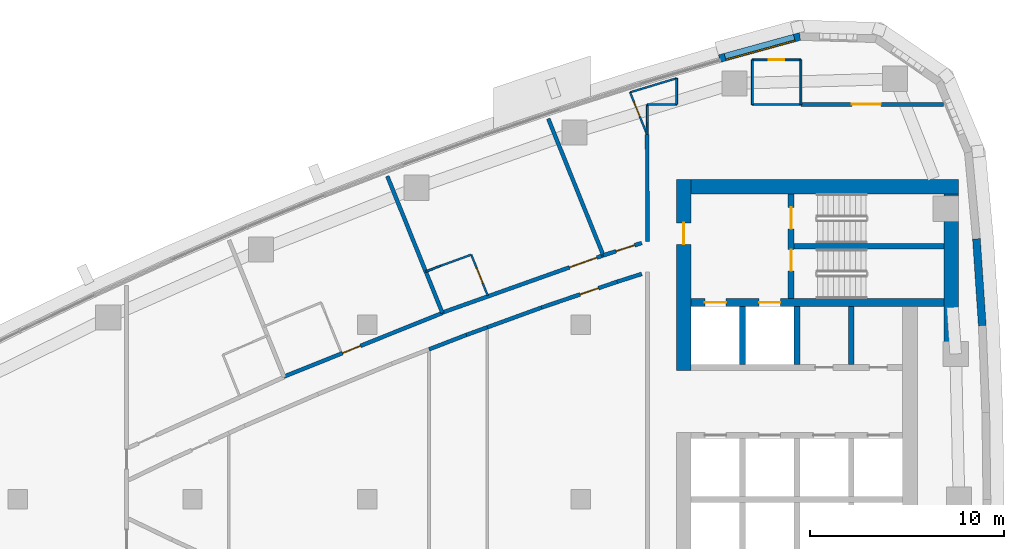
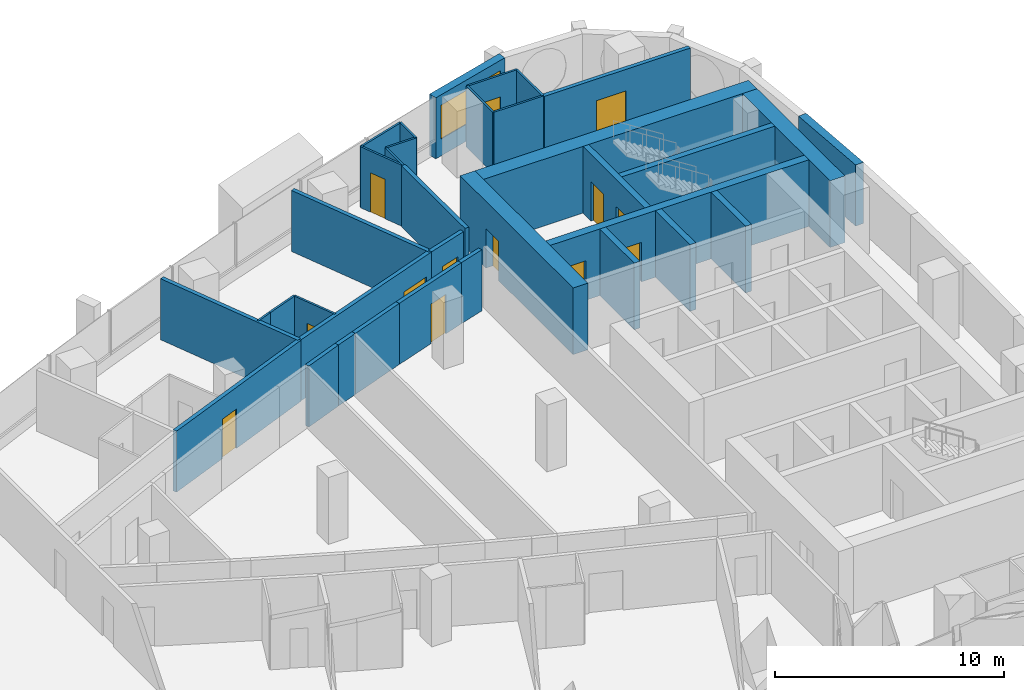
# One storey, part 12 of 17: 35 walls, 13 doors, 1 window, 14 openings.
"""IFC4 building model written with IfcOpenShell, lengths in metres."""

from ifc_helpers import new_model, si_unit, direction, frame, frame_2d, origin, place, context, subcontext, project, spatial, polyline, rectangle, outline, extrude, material, layer, layer_set, type_object, element, fill, save


model = new_model("IFC4")

# Units and contexts
model_context = context("Model", 3, precision=1e-05, world=origin(), true_north=direction((0.0, 1.0)))
body_context = subcontext(model_context, "Body", "Model", "MODEL_VIEW")
ifc_project = project(units=[si_unit("LENGTHUNIT", "METRE"), si_unit("AREAUNIT", "SQUARE_METRE"), si_unit("VOLUMEUNIT", "CUBIC_METRE"), si_unit("PLANEANGLEUNIT", "RADIAN"), si_unit("MASSUNIT", "GRAM", prefix="KILO")], contexts=[model_context])

# Site, building, storey
site_placement = place(None, origin())
site = spatial("IfcSite", under=ifc_project, at=site_placement, CompositionType="ELEMENT")
building_placement = place(site_placement, origin())
building = spatial("IfcBuilding", under=site, at=building_placement, Name="Ostrand Prow Hotel Tower", CompositionType="ELEMENT")
storey_placement = place(building_placement, frame((0.0, 0.0, 193.25)))
storey = spatial("IfcBuildingStorey", under=building, at=storey_placement, Name="L48", CompositionType="ELEMENT", Elevation=193.25)

# Walls
ifc_material_1 = material(Name="Concrete C60/75", Category="concrete")
ifc_layer_1 = layer(ifc_material_1, 0.300048828125)
ifc_layer_set_1 = layer_set([ifc_layer_1], Name="Concrete C60/75")
wall_type_1 = type_object("IfcWallType", Name="Core wall 300 C60/75", PredefinedType="SHEAR", material=ifc_layer_set_1)
for number, where, z_axis, x_axis, name in (
    (1, (53.35009765625, 6.949951171875, 0.0), (0.0, 0.0, 1.0), (0.0, 1.0, 0.0), "Core wall PW-R1-NA"),
    (2, (56.14990234375, 6.949951171875, 0.0), (0.0, 0.0, 1.0), (0.0, 1.0, 0.0), "Core wall PW-R2-NA"),
    (3, (58.949951171875, 6.949951171875, 0.0), (0.0, 0.0, 1.0), (0.0, 1.0, 0.0), "Core wall PW-R3-NA"),
):
    element("IfcWall", number, at=place(storey_placement, frame(where, z_axis=z_axis, x_axis=x_axis)), inside=storey, type_object=wall_type_1, Name=name, PredefinedType="SHEAR", context=body_context, shape_type="SweptSolid", body=[
        extrude(rectangle(XDim=3.0, YDim=0.300048828125, at=frame_2d((1.5, 0.0))), origin(), (0.0, 0.0, 1.0), 3.550048828125),
    ])

# Wall, openings, doors
wall_1_placement = place(storey_placement, frame((55.85009765625, 10.35009765625, 0.0), z_axis=(0.0, 0.0, 1.0), x_axis=(0.0, 1.0, 0.0)))
wall_1 = element("IfcWall", 4, at=wall_1_placement, inside=storey, type_object=wall_type_1, Name="Core wall PW-VN", PredefinedType="SHEAR", context=body_context, shape_type="SweptSolid", body=[
    extrude(rectangle(XDim=5.39990234375, YDim=0.300048828125, at=frame_2d((2.699951171875, 0.0))), origin(), (0.0, 0.0, 1.0), 3.550048828125),
])
opening_1_placement = place(wall_1_placement, frame((1.429931640625, 0.0, 0.0)))
opening_1 = element("IfcOpeningElement", 5, at=opening_1_placement, cuts=wall_1, Name="Opening FD1", PredefinedType="OPENING", context=body_context, shape_type="SweptSolid", body=[
    extrude(rectangle(XDim=1.10009765625, YDim=2.10009765625, at=frame_2d((0.550048828125, 1.050048828125))), frame((0.0, 0.159912109375, 0.0), z_axis=(0.0, -1.0, 0.0), x_axis=(1.0, 0.0, 0.0)), (0.0, 0.0, 1.0), 0.320068359375),
])
opening_2_placement = place(wall_1_placement, frame((3.60009765625, 0.0, 0.0)))
opening_2 = element("IfcOpeningElement", 6, at=opening_2_placement, cuts=wall_1, Name="Opening FD1", PredefinedType="OPENING", context=body_context, shape_type="SweptSolid", body=[
    extrude(rectangle(XDim=1.10009765625, YDim=2.10009765625, at=frame_2d((0.550048828125, 1.050048828125))), frame((0.0, 0.159912109375, 0.0), z_axis=(0.0, -1.0, 0.0), x_axis=(1.0, 0.0, 0.0)), (0.0, 0.0, 1.0), 0.320068359375),
])
ifc_material_2 = material(Name="Steel fire door", Category="steel")
door_type_1 = type_object("IfcDoorType", Name="Fire door 1100 EI120", OperationType="SINGLE_SWING_RIGHT", PredefinedType="DOOR", material=ifc_material_2)
door_1_placement = place(opening_1_placement, origin())
door_1 = element("IfcDoor", 7, at=door_1_placement, inside=storey, type_object=door_type_1, Name="FIRE DOOR", OperationType="SINGLE_SWING_RIGHT", OverallHeight=2.10009765625, OverallWidth=1.10009765625, PredefinedType="DOOR", context=body_context, shape_type="SweptSolid", body=[
    extrude(rectangle(XDim=1.10009765625, YDim=2.10009765625, at=frame_2d((0.550048828125, 1.050048828125))), frame((0.0, 0.02490234375, 0.0), z_axis=(0.0, -1.0, 0.0), x_axis=(1.0, 0.0, 0.0)), (0.0, 0.0, 1.0), 0.050048828125),
])
fill(opening_1, door_1)
door_2_placement = place(opening_2_placement, origin())
door_2 = element("IfcDoor", 8, at=door_2_placement, inside=storey, type_object=door_type_1, Name="FIRE DOOR", OperationType="SINGLE_SWING_RIGHT", OverallHeight=2.10009765625, OverallWidth=1.10009765625, PredefinedType="DOOR", context=body_context, shape_type="SweptSolid", body=[
    extrude(rectangle(XDim=1.10009765625, YDim=2.10009765625, at=frame_2d((0.550048828125, 1.050048828125))), frame((0.0, 0.02490234375, 0.0), z_axis=(0.0, -1.0, 0.0), x_axis=(1.0, 0.0, 0.0)), (0.0, 0.0, 1.0), 0.050048828125),
])
fill(opening_2, door_2)

# Wall
wall_2_placement = place(storey_placement, frame((56.0, 13.050048828125, 0.0), z_axis=(0.0, 0.0, 1.0), x_axis=(1.0, 0.0, 0.0)))
element("IfcWall", 9, at=wall_2_placement, inside=storey, type_object=wall_type_1, Name="Core wall PW-ST13", PredefinedType="SHEAR", context=body_context, shape_type="SweptSolid", body=[
    extrude(rectangle(XDim=7.719970703125, YDim=0.300048828125, at=frame_2d((3.85986328125, 0.0))), origin(), (0.0, 0.0, 1.0), 3.550048828125),
])

# Wall, openings, doors
ifc_material_3 = material(Name="Concrete C60/75", Category="concrete")
ifc_layer_2 = layer(ifc_material_3, 0.39990234375)
ifc_layer_set_2 = layer_set([ifc_layer_2], Name="Concrete C60/75")
wall_type_2 = type_object("IfcWallType", Name="Core wall 400 C60/75", PredefinedType="SHEAR", material=ifc_layer_set_2)
wall_3_placement = place(storey_placement, frame((50.699951171875, 10.14990234375, 0.0), z_axis=(0.0, 0.0, 1.0), x_axis=(1.0, 0.0, 0.0)))
wall_3 = element("IfcWall", 10, at=wall_3_placement, inside=storey, type_object=wall_type_2, Name="Core wall PW-BN", PredefinedType="SHEAR", context=body_context, shape_type="SweptSolid", body=[
    extrude(rectangle(XDim=13.02001953125, YDim=0.39990234375, at=frame_2d((6.510009765625, 0.0))), origin(), (0.0, 0.0, 1.0), 3.550048828125),
])
opening_3_placement = place(wall_3_placement, frame((0.699951171875, 0.0, 0.0)))
opening_3 = element("IfcOpeningElement", 11, at=opening_3_placement, cuts=wall_3, Name="Opening LD", PredefinedType="OPENING", context=body_context, shape_type="SweptSolid", body=[
    extrude(rectangle(XDim=1.10009765625, YDim=2.10009765625, at=frame_2d((0.550048828125, 1.050048828125))), frame((0.0, 0.2099609375, 0.0), z_axis=(0.0, -1.0, 0.0), x_axis=(1.0, 0.0, 0.0)), (0.0, 0.0, 1.0), 0.419921875),
])
opening_4_placement = place(wall_3_placement, frame((3.5, 0.0, 0.0)))
opening_4 = element("IfcOpeningElement", 12, at=opening_4_placement, cuts=wall_3, Name="Opening LD", PredefinedType="OPENING", context=body_context, shape_type="SweptSolid", body=[
    extrude(rectangle(XDim=1.10009765625, YDim=2.10009765625, at=frame_2d((0.550048828125, 1.050048828125))), frame((0.0, 0.2099609375, 0.0), z_axis=(0.0, -1.0, 0.0), x_axis=(1.0, 0.0, 0.0)), (0.0, 0.0, 1.0), 0.419921875),
])
ifc_material_4 = material(Name="Stainless steel door", Category="steel")
door_type_2 = type_object("IfcDoorType", Name="Lift landing door 1100", OperationType="DOUBLE_DOOR_SLIDING", PredefinedType="DOOR", material=ifc_material_4)
door_3_placement = place(opening_3_placement, origin())
door_3 = element("IfcDoor", 13, at=door_3_placement, inside=storey, type_object=door_type_2, Name="LIFT LANDING DOOR", OperationType="DOUBLE_DOOR_SLIDING", OverallHeight=2.10009765625, OverallWidth=1.10009765625, PredefinedType="DOOR", context=body_context, shape_type="SweptSolid", body=[
    extrude(rectangle(XDim=1.10009765625, YDim=2.10009765625, at=frame_2d((0.550048828125, 1.050048828125))), frame((0.0, 0.02490234375, 0.0), z_axis=(0.0, -1.0, 0.0), x_axis=(1.0, 0.0, 0.0)), (0.0, 0.0, 1.0), 0.050048828125),
])
fill(opening_3, door_3)
door_4_placement = place(opening_4_placement, origin())
door_4 = element("IfcDoor", 14, at=door_4_placement, inside=storey, type_object=door_type_2, Name="LIFT LANDING DOOR", OperationType="DOUBLE_DOOR_SLIDING", OverallHeight=2.10009765625, OverallWidth=1.10009765625, PredefinedType="DOOR", context=body_context, shape_type="SweptSolid", body=[
    extrude(rectangle(XDim=1.10009765625, YDim=2.10009765625, at=frame_2d((0.550048828125, 1.050048828125))), frame((0.0, 0.02490234375, 0.0), z_axis=(0.0, -1.0, 0.0), x_axis=(1.0, 0.0, 0.0)), (0.0, 0.0, 1.0), 0.050048828125),
])
fill(opening_4, door_4)

# Wall, opening, door
ifc_material_5 = material(Name="Concrete C60/75", Category="concrete")
ifc_layer_3 = layer(ifc_material_5, 0.75)
ifc_layer_set_3 = layer_set([ifc_layer_3], Name="Concrete C60/75")
wall_type_3 = type_object("IfcWallType", Name="Core wall 750 C60/75", PredefinedType="SHEAR", material=ifc_layer_set_3)
wall_4_placement = place(storey_placement, frame((50.324951171875, 6.64990234375, 0.0), z_axis=(0.0, 0.0, 1.0), x_axis=(0.0, 1.0, 0.0)))
wall_4 = element("IfcWall", 15, at=wall_4_placement, inside=storey, type_object=wall_type_3, Name="Core wall CW-W-N", PredefinedType="SHEAR", context=body_context, shape_type="SweptSolid", body=[
    extrude(rectangle(XDim=9.85009765625, YDim=0.75, at=frame_2d((4.925048828125, 0.0))), origin(), (0.0, 0.0, 1.0), 3.550048828125),
])
opening_5_placement = place(wall_4_placement, frame((6.5, 0.0, 0.0)))
opening_5 = element("IfcOpeningElement", 16, at=opening_5_placement, cuts=wall_4, Name="Opening FD1", PredefinedType="OPENING", context=body_context, shape_type="SweptSolid", body=[
    extrude(rectangle(XDim=1.10009765625, YDim=2.10009765625, at=frame_2d((0.550048828125, 1.050048828125))), frame((0.0, 0.385009765625, 0.0), z_axis=(0.0, -1.0, 0.0), x_axis=(1.0, 0.0, 0.0)), (0.0, 0.0, 1.0), 0.77001953125),
])
door_5_placement = place(opening_5_placement, origin())
door_5 = element("IfcDoor", 17, at=door_5_placement, inside=storey, type_object=door_type_1, Name="FIRE DOOR", OperationType="SINGLE_SWING_RIGHT", OverallHeight=2.10009765625, OverallWidth=1.10009765625, PredefinedType="DOOR", context=body_context, shape_type="SweptSolid", body=[
    extrude(rectangle(XDim=1.10009765625, YDim=2.10009765625, at=frame_2d((0.550048828125, 1.050048828125))), frame((0.0, 0.02490234375, 0.0), z_axis=(0.0, -1.0, 0.0), x_axis=(1.0, 0.0, 0.0)), (0.0, 0.0, 1.0), 0.050048828125),
])
fill(opening_5, door_5)

# Walls
wall_5_placement = place(storey_placement, frame((50.699951171875, 16.125, 0.0), z_axis=(0.0, 0.0, 1.0), x_axis=(1.0, 0.0, 0.0)))
element("IfcWall", 18, at=wall_5_placement, inside=storey, type_object=wall_type_3, Name="Core wall CW-N", PredefinedType="SHEAR", context=body_context, shape_type="SweptSolid", body=[
    extrude(rectangle(XDim=13.77001953125, YDim=0.75, at=frame_2d((6.885009765625, 0.0))), origin(), (0.0, 0.0, 1.0), 3.550048828125),
])
wall_6_placement = place(storey_placement, frame((64.094970703125, 8.09912109375, 0.0), z_axis=(0.0, 0.0, 1.0), x_axis=(0.0, 1.0, 0.0)))
element("IfcWall", 19, at=wall_6_placement, inside=storey, type_object=wall_type_3, Name="Core wall CW-E-N", PredefinedType="SHEAR", context=body_context, shape_type="SweptSolid", body=[
    extrude(rectangle(XDim=7.65087890625, YDim=0.75, at=frame_2d((3.825439453125, 0.0))), origin(), (0.0, 0.0, 1.0), 3.550048828125),
])

# Wall, opening, door
ifc_material_6 = material(Name="Plasterboard partition")
ifc_layer_4 = layer(ifc_material_6, 0.10009765625)
ifc_layer_set_4 = layer_set([ifc_layer_4], Name="Plasterboard partition")
wall_type_4 = type_object("IfcWallType", Name="Partition 100 bathroom wall", PredefinedType="PARTITIONING", material=ifc_layer_set_4)
wall_7_placement = place(storey_placement, frame((53.85009765625, 22.64990234375, 0.0), z_axis=(0.0, 0.0, 1.0), x_axis=(1.0, 0.0, 0.0)))
wall_7 = element("IfcWall", 20, at=wall_7_placement, inside=storey, type_object=wall_type_4, Name="BATHROOM WALL", PredefinedType="PARTITIONING", context=body_context, shape_type="SweptSolid", body=[
    extrude(rectangle(XDim=2.5, YDim=0.10009765625, at=frame_2d((1.25, 0.0))), origin(), (0.0, 0.0, 1.0), 3.25),
])
opening_6_placement = place(wall_7_placement, frame((0.85009765625, 0.0, 0.0)))
opening_6 = element("IfcOpeningElement", 21, at=opening_6_placement, cuts=wall_7, Name="Opening D2", PredefinedType="OPENING", context=body_context, shape_type="SweptSolid", body=[
    extrude(rectangle(XDim=0.800048828125, YDim=2.10009765625, at=frame_2d((0.39990234375, 1.050048828125))), frame((0.0, 0.06005859375, 0.0), z_axis=(0.0, -1.0, 0.0), x_axis=(1.0, 0.0, 0.0)), (0.0, 0.0, 1.0), 0.1201171875),
])
ifc_material_7 = material(Name="Timber door leaf", Category="wood")
door_type_3 = type_object("IfcDoorType", Name="Bathroom door 800", OperationType="SINGLE_SWING_LEFT", PredefinedType="DOOR", material=ifc_material_7)
door_6_placement = place(opening_6_placement, origin())
door_6 = element("IfcDoor", 22, at=door_6_placement, inside=storey, type_object=door_type_3, Name="DOOR", OperationType="SINGLE_SWING_LEFT", OverallHeight=2.10009765625, OverallWidth=0.800048828125, PredefinedType="DOOR", context=body_context, shape_type="SweptSolid", body=[
    extrude(rectangle(XDim=0.800048828125, YDim=2.10009765625, at=frame_2d((0.39990234375, 1.050048828125))), frame((0.0, 0.02490234375, 0.0), z_axis=(0.0, -1.0, 0.0), x_axis=(1.0, 0.0, 0.0)), (0.0, 0.0, 1.0), 0.050048828125),
])
fill(opening_6, door_6)

# Walls
for number, where, z_axis, x_axis, name in (
    (23, (56.35009765625, 22.64990234375, 0.0), (0.0, 0.0, 1.0), (0.0, -1.0, 0.0), "BATHROOM WALL"),
    (24, (53.85009765625, 20.35009765625, 0.0), (0.0, 0.0, 1.0), (0.0, 1.0, 0.0), "BATHROOM WALL"),
):
    element("IfcWall", number, at=place(storey_placement, frame(where, z_axis=z_axis, x_axis=x_axis)), inside=storey, type_object=wall_type_4, Name=name, PredefinedType="PARTITIONING", context=body_context, shape_type="SweptSolid", body=[
        extrude(rectangle(XDim=2.2998046875, YDim=0.10009765625, at=frame_2d((1.14990234375, 0.0))), origin(), (0.0, 0.0, 1.0), 3.25),
    ])
wall_8_placement = place(storey_placement, frame((37.019775390625, 11.7431640625, 0.0), z_axis=(0.0, 0.0, 1.0), x_axis=(0.9326493613, 0.360784102846, 0.0)))
element("IfcWall", 25, at=wall_8_placement, inside=storey, type_object=wall_type_4, Name="BATHROOM WALL", PredefinedType="PARTITIONING", context=body_context, shape_type="SweptSolid", body=[
    extrude(rectangle(XDim=0.8154296875, YDim=0.10009765625, at=frame_2d((0.40771484375, 0.0))), origin(), (0.0, 0.0, 1.0), 3.25),
])
wall_9_placement = place(storey_placement, frame((37.7802734375, 12.037353515625, 0.0), z_axis=(0.0, 0.0, 1.0), x_axis=(0.939759586286, 0.341836101053, 0.0)))
element("IfcWall", 26, at=wall_9_placement, inside=storey, type_object=wall_type_4, Name="BATHROOM WALL", PredefinedType="PARTITIONING", context=body_context, shape_type="SweptSolid", body=[
    extrude(rectangle(XDim=1.685546875, YDim=0.10009765625, at=frame_2d((0.8427734375, 0.0))), origin(), (0.0, 0.0, 1.0), 3.25),
])

# Wall, opening, door
wall_10_placement = place(storey_placement, frame((39.3642578125, 12.613525390625, 0.0), z_axis=(0.0, 0.0, 1.0), x_axis=(0.373883593317, -0.927475637765, 0.0)))
wall_10 = element("IfcWall", 27, at=wall_10_placement, inside=storey, type_object=wall_type_4, Name="BATHROOM WALL", PredefinedType="PARTITIONING", context=body_context, shape_type="SweptSolid", body=[
    extrude(rectangle(XDim=2.2783203125, YDim=0.10009765625, at=frame_2d((1.13916015625, 0.0))), origin(), (0.0, 0.0, 1.0), 3.25),
])
opening_7_placement = place(wall_10_placement, frame((0.75, 0.0, 0.0)))
opening_7 = element("IfcOpeningElement", 28, at=opening_7_placement, cuts=wall_10, Name="Opening D2", PredefinedType="OPENING", context=body_context, shape_type="SweptSolid", body=[
    extrude(rectangle(XDim=0.800048828125, YDim=2.10009765625, at=frame_2d((0.39990234375, 1.050048828125))), frame((0.0, 0.06005859375, 0.0), z_axis=(0.0, -1.0, 0.0), x_axis=(1.0, 0.0, 0.0)), (0.0, 0.0, 1.0), 0.1201171875),
])
door_7_placement = place(opening_7_placement, origin())
door_7 = element("IfcDoor", 29, at=door_7_placement, inside=storey, type_object=door_type_3, Name="DOOR", OperationType="SINGLE_SWING_LEFT", OverallHeight=2.10009765625, OverallWidth=0.800048828125, PredefinedType="DOOR", context=body_context, shape_type="SweptSolid", body=[
    extrude(rectangle(XDim=0.800048828125, YDim=2.10009765625, at=frame_2d((0.39990234375, 1.050048828125))), frame((0.0, 0.02490234375, 0.0), z_axis=(0.0, -1.0, 0.0), x_axis=(1.0, 0.0, 0.0)), (0.0, 0.0, 1.0), 0.050048828125),
])
fill(opening_7, door_7)

wall_11_placement = place(storey_placement, frame((48.409423828125, 18.84130859375, 0.0), z_axis=(0.0, 0.0, 1.0), x_axis=(-0.373908119057, 0.927465750582, 0.0)))
wall_11 = element("IfcWall", 30, at=wall_11_placement, inside=storey, type_object=wall_type_4, Name="BATHROOM WALL", PredefinedType="PARTITIONING", context=body_context, shape_type="SweptSolid", body=[
    extrude(rectangle(XDim=2.30615234375, YDim=0.10009765625, at=frame_2d((1.153076171875, 0.0))), origin(), (0.0, 0.0, 1.0), 3.25),
])
opening_8_placement = place(wall_11_placement, frame((0.949951171875, 0.0, 0.0)))
opening_8 = element("IfcOpeningElement", 31, at=opening_8_placement, cuts=wall_11, Name="Opening D2", PredefinedType="OPENING", context=body_context, shape_type="SweptSolid", body=[
    extrude(rectangle(XDim=0.800048828125, YDim=2.10009765625, at=frame_2d((0.39990234375, 1.050048828125))), frame((0.0, 0.06005859375, 0.0), z_axis=(0.0, -1.0, 0.0), x_axis=(1.0, 0.0, 0.0)), (0.0, 0.0, 1.0), 0.1201171875),
])
door_8_placement = place(opening_8_placement, origin())
door_8 = element("IfcDoor", 32, at=door_8_placement, inside=storey, type_object=door_type_3, Name="DOOR", OperationType="SINGLE_SWING_LEFT", OverallHeight=2.10009765625, OverallWidth=0.800048828125, PredefinedType="DOOR", context=body_context, shape_type="SweptSolid", body=[
    extrude(rectangle(XDim=0.800048828125, YDim=2.10009765625, at=frame_2d((0.39990234375, 1.050048828125))), frame((0.0, 0.02490234375, 0.0), z_axis=(0.0, -1.0, 0.0), x_axis=(1.0, 0.0, 0.0)), (0.0, 0.0, 1.0), 0.050048828125),
])
fill(opening_8, door_8)

# Walls
wall_12_placement = place(storey_placement, frame((56.35009765625, 20.35498046875, 0.0), z_axis=(0.0, 0.0, 1.0), x_axis=(-1.0, 0.0, 0.0)))
element("IfcWall", 33, at=wall_12_placement, inside=storey, type_object=wall_type_4, Name="BATHROOM WALL", PredefinedType="PARTITIONING", context=body_context, shape_type="SweptSolid", body=[
    extrude(rectangle(XDim=2.5, YDim=0.10009765625, at=frame_2d((1.25, 0.0))), origin(), (0.0, 0.0, 1.0), 3.25),
])
wall_13_placement = place(storey_placement, frame((49.949951171875, 21.706298828125, 0.0), z_axis=(0.0, 0.0, 1.0), x_axis=(0.0, -1.0, 0.0)))
element("IfcWall", 34, at=wall_13_placement, inside=storey, type_object=wall_type_4, Name="BATHROOM WALL", PredefinedType="PARTITIONING", context=body_context, shape_type="SweptSolid", body=[
    extrude(rectangle(XDim=1.351318359375, YDim=0.10009765625, at=frame_2d((0.67578125, 0.0))), origin(), (0.0, 0.0, 1.0), 3.25),
])
wall_14_placement = place(storey_placement, frame((49.949951171875, 20.35498046875, 0.0), z_axis=(0.0, 0.0, 1.0), x_axis=(-0.999998406651, -0.001785131852, 0.0)))
element("IfcWall", 35, at=wall_14_placement, inside=storey, type_object=wall_type_4, Name="BATHROOM WALL", PredefinedType="PARTITIONING", context=body_context, shape_type="SweptSolid", body=[
    extrude(rectangle(XDim=1.50439453125, YDim=0.10009765625, at=frame_2d((0.752197265625, 0.0))), origin(), (0.0, 0.0, 1.0), 3.25),
])
wall_15_placement = place(storey_placement, frame((48.445556640625, 20.352294921875, 0.0), z_axis=(0.0, 0.0, 1.0), x_axis=(-0.010805026288, -0.999941624, 0.0)))
element("IfcWall", 36, at=wall_15_placement, inside=storey, type_object=wall_type_4, Name="BATHROOM WALL", PredefinedType="PARTITIONING", context=body_context, shape_type="SweptSolid", body=[
    extrude(rectangle(XDim=1.536376953125, YDim=0.10009765625, at=frame_2d((0.76806640625, 0.0))), origin(), (0.0, 0.0, 1.0), 3.25),
])
wall_16_placement = place(storey_placement, frame((47.547119140625, 20.980224609375, 0.0), z_axis=(0.0, 0.0, 1.0), x_axis=(0.957251518155, 0.289256859885, 0.0)))
element("IfcWall", 37, at=wall_16_placement, inside=storey, type_object=wall_type_4, Name="BATHROOM WALL", PredefinedType="PARTITIONING", context=body_context, shape_type="SweptSolid", body=[
    extrude(rectangle(XDim=2.51025390625, YDim=0.10009765625, at=frame_2d((1.255126953125, 0.0))), origin(), (0.0, 0.0, 1.0), 3.25),
])

# Wall, opening, door
ifc_material_8 = material(Name="Plasterboard partition")
ifc_layer_5 = layer(ifc_material_8, 0.199951171875)
ifc_layer_set_5 = layer_set([ifc_layer_5], Name="Plasterboard partition")
wall_type_5 = type_object("IfcWallType", Name="Partition 200 corridor wall", PredefinedType="PARTITIONING", material=ifc_layer_set_5)
wall_17_placement = place(storey_placement, frame((29.714111328125, 6.32861328125, 0.0), z_axis=(0.0, 0.0, 1.0), x_axis=(0.927886226391, 0.372863448026, 0.0)))
wall_17 = element("IfcWall", 38, at=wall_17_placement, inside=storey, type_object=wall_type_5, Name="CORRIDOR WALL", PredefinedType="PARTITIONING", context=body_context, shape_type="SweptSolid", body=[
    extrude(rectangle(XDim=8.800048828125, YDim=0.199951171875, at=frame_2d((4.39990234375, 0.0))), origin(), (0.0, 0.0, 1.0), 3.25),
])
opening_9_placement = place(wall_17_placement, frame((3.25, 0.0, 0.0)))
opening_9 = element("IfcOpeningElement", 39, at=opening_9_placement, cuts=wall_17, Name="Opening D1R", PredefinedType="OPENING", context=body_context, shape_type="SweptSolid", body=[
    extrude(rectangle(XDim=1.0, YDim=2.10009765625, at=frame_2d((0.5, 1.050048828125))), frame((0.0, 0.10986328125, 0.0), z_axis=(0.0, -1.0, 0.0), x_axis=(1.0, 0.0, 0.0)), (0.0, 0.0, 1.0), 0.219970703125),
])
ifc_material_9 = material(Name="Timber door leaf", Category="wood")
door_type_4 = type_object("IfcDoorType", Name="Guest room door 1000 right", OperationType="SINGLE_SWING_RIGHT", PredefinedType="DOOR", material=ifc_material_9)
door_9_placement = place(opening_9_placement, origin())
door_9 = element("IfcDoor", 40, at=door_9_placement, inside=storey, type_object=door_type_4, Name="DOOR", OperationType="SINGLE_SWING_RIGHT", OverallHeight=2.10009765625, OverallWidth=1.0, PredefinedType="DOOR", context=body_context, shape_type="SweptSolid", body=[
    extrude(rectangle(XDim=1.0, YDim=2.10009765625, at=frame_2d((0.5, 1.050048828125))), frame((0.0, 0.02490234375, 0.0), z_axis=(0.0, -1.0, 0.0), x_axis=(1.0, 0.0, 0.0)), (0.0, 0.0, 1.0), 0.050048828125),
])
fill(opening_9, door_9)

wall_18_placement = place(storey_placement, frame((46.17041015625, 12.580078125, 0.0), z_axis=(0.0, 0.0, 1.0), x_axis=(-0.942170738702, -0.335133255786, 0.0)))
wall_18 = element("IfcWall", 41, at=wall_18_placement, inside=storey, type_object=wall_type_5, Name="CORRIDOR WALL", PredefinedType="PARTITIONING", context=body_context, shape_type="SweptSolid", body=[
    extrude(rectangle(XDim=8.807373046875, YDim=0.199951171875, at=frame_2d((4.40380859375, 0.0))), origin(), (0.0, 0.0, 1.0), 3.25),
])
opening_10_placement = place(wall_18_placement, frame((0.35009765625, 0.0, 0.0)))
opening_10 = element("IfcOpeningElement", 42, at=opening_10_placement, cuts=wall_18, Name="Opening D15", PredefinedType="OPENING", context=body_context, shape_type="SweptSolid", body=[
    extrude(rectangle(XDim=1.5, YDim=2.10009765625, at=frame_2d((0.75, 1.050048828125))), frame((0.0, 0.10986328125, 0.0), z_axis=(0.0, -1.0, 0.0), x_axis=(1.0, 0.0, 0.0)), (0.0, 0.0, 1.0), 0.219970703125),
])
ifc_material_10 = material(Name="Timber door leaf", Category="wood")
door_type_5 = type_object("IfcDoorType", Name="Double door 1500", OperationType="DOUBLE_DOOR_SINGLE_SWING", PredefinedType="DOOR", material=ifc_material_10)
door_10_placement = place(opening_10_placement, origin())
door_10 = element("IfcDoor", 43, at=door_10_placement, inside=storey, type_object=door_type_5, Name="DOOR", OperationType="DOUBLE_DOOR_SINGLE_SWING", OverallHeight=2.10009765625, OverallWidth=1.5, PredefinedType="DOOR", context=body_context, shape_type="SweptSolid", body=[
    extrude(rectangle(XDim=1.5, YDim=2.10009765625, at=frame_2d((0.75, 1.050048828125))), frame((0.0, 0.02490234375, 0.0), z_axis=(0.0, -1.0, 0.0), x_axis=(1.0, 0.0, 0.0)), (0.0, 0.0, 1.0), 0.050048828125),
])
fill(opening_10, door_10)

# Walls
wall_19_placement = place(storey_placement, frame((39.115478515625, 8.4794921875, 0.0), z_axis=(0.0, 0.0, 1.0), x_axis=(0.939731092615, 0.34191442434, 0.0)))
element("IfcWall", 44, at=wall_19_placement, inside=storey, type_object=wall_type_5, Name="CORRIDOR WALL", PredefinedType="PARTITIONING", context=body_context, shape_type="SweptSolid", body=[
    extrude(rectangle(XDim=1.143798828125, YDim=0.199951171875, at=frame_2d((0.57177734375, 0.0))), origin(), (0.0, 0.0, 1.0), 3.25),
])
wall_20_placement = place(storey_placement, frame((37.1904296875, 7.73486328125, 0.0), z_axis=(0.0, 0.0, 1.0), x_axis=(0.9326579855, 0.360761807961, 0.0)))
element("IfcWall", 45, at=wall_20_placement, inside=storey, type_object=wall_type_5, Name="CORRIDOR WALL", PredefinedType="PARTITIONING", context=body_context, shape_type="SweptSolid", body=[
    extrude(rectangle(XDim=2.06396484375, YDim=0.199951171875, at=frame_2d((1.031982421875, 0.0))), origin(), (0.0, 0.0, 1.0), 3.25),
])

# Wall, opening, door
wall_21_placement = place(storey_placement, frame((42.984375, 9.88720703125, 0.0), z_axis=(0.0, 0.0, 1.0), x_axis=(0.946436071896, 0.322891253852, 0.0)))
wall_21 = element("IfcWall", 46, at=wall_21_placement, inside=storey, type_object=wall_type_5, Name="CORRIDOR WALL", PredefinedType="PARTITIONING", context=body_context, shape_type="SweptSolid", body=[
    extrude(rectangle(XDim=4.116943359375, YDim=0.199951171875, at=frame_2d((2.05859375, 0.0))), origin(), (0.0, 0.0, 1.0), 3.25),
])
opening_11_placement = place(wall_21_placement, frame((2.10009765625, 0.0, 0.0)))
opening_11 = element("IfcOpeningElement", 47, at=opening_11_placement, cuts=wall_21, Name="Opening D1R", PredefinedType="OPENING", context=body_context, shape_type="SweptSolid", body=[
    extrude(rectangle(XDim=1.0, YDim=2.10009765625, at=frame_2d((0.5, 1.050048828125))), frame((0.0, 0.10986328125, 0.0), z_axis=(0.0, -1.0, 0.0), x_axis=(1.0, 0.0, 0.0)), (0.0, 0.0, 1.0), 0.219970703125),
])
door_11_placement = place(opening_11_placement, origin())
door_11 = element("IfcDoor", 48, at=door_11_placement, inside=storey, type_object=door_type_4, Name="DOOR", OperationType="SINGLE_SWING_RIGHT", OverallHeight=2.10009765625, OverallWidth=1.0, PredefinedType="DOOR", context=body_context, shape_type="SweptSolid", body=[
    extrude(rectangle(XDim=1.0, YDim=2.10009765625, at=frame_2d((0.5, 1.050048828125))), frame((0.0, 0.02490234375, 0.0), z_axis=(0.0, -1.0, 0.0), x_axis=(1.0, 0.0, 0.0)), (0.0, 0.0, 1.0), 0.050048828125),
])
fill(opening_11, door_11)

# Wall
wall_22_placement = place(storey_placement, frame((40.1904296875, 8.87060546875, 0.0), z_axis=(0.0, 0.0, 1.0), x_axis=(0.939726274687, 0.341927665833, 0.0)))
element("IfcWall", 49, at=wall_22_placement, inside=storey, type_object=wall_type_5, Name="CORRIDOR WALL", PredefinedType="PARTITIONING", context=body_context, shape_type="SweptSolid", body=[
    extrude(rectangle(XDim=2.97314453125, YDim=0.199951171875, at=frame_2d((1.486572265625, 0.0))), origin(), (0.0, 0.0, 1.0), 3.25),
])

# Wall, opening, door
wall_23_placement = place(storey_placement, frame((63.70947265625, 20.35498046875, 0.0), z_axis=(0.0, 0.0, 1.0), x_axis=(-1.0, 0.0, 0.0)))
wall_23 = element("IfcWall", 50, at=wall_23_placement, inside=storey, type_object=wall_type_5, Name="CORRIDOR WALL", PredefinedType="PARTITIONING", context=body_context, shape_type="SweptSolid", body=[
    extrude(rectangle(XDim=7.3544921875, YDim=0.199951171875, at=frame_2d((3.67724609375, 0.0))), origin(), (0.0, 0.0, 1.0), 3.25),
])
opening_12_placement = place(wall_23_placement, frame((3.230712890625, 0.0, 0.0)))
opening_12 = element("IfcOpeningElement", 51, at=opening_12_placement, cuts=wall_23, Name="Opening D15", PredefinedType="OPENING", context=body_context, shape_type="SweptSolid", body=[
    extrude(rectangle(XDim=1.5, YDim=2.10009765625, at=frame_2d((0.75, 1.050048828125))), frame((0.0, 0.10986328125, 0.0), z_axis=(0.0, -1.0, 0.0), x_axis=(1.0, 0.0, 0.0)), (0.0, 0.0, 1.0), 0.219970703125),
])
door_12_placement = place(opening_12_placement, origin())
door_12 = element("IfcDoor", 52, at=door_12_placement, inside=storey, type_object=door_type_5, Name="DOOR", OperationType="DOUBLE_DOOR_SINGLE_SWING", OverallHeight=2.10009765625, OverallWidth=1.5, PredefinedType="DOOR", context=body_context, shape_type="SweptSolid", body=[
    extrude(rectangle(XDim=1.5, YDim=2.10009765625, at=frame_2d((0.75, 1.050048828125))), frame((0.0, 0.02490234375, 0.0), z_axis=(0.0, -1.0, 0.0), x_axis=(1.0, 0.0, 0.0)), (0.0, 0.0, 1.0), 0.050048828125),
])
fill(opening_12, door_12)

wall_24_placement = place(storey_placement, frame((48.14990234375, 13.2158203125, 0.0), z_axis=(0.0, 0.0, 1.0), x_axis=(-0.952101841283, -0.305781104428, 0.0)))
wall_24 = element("IfcWall", 53, at=wall_24_placement, inside=storey, type_object=wall_type_5, Name="CORRIDOR WALL", PredefinedType="PARTITIONING", context=body_context, shape_type="SweptSolid", body=[
    extrude(rectangle(XDim=2.0791015625, YDim=0.199951171875, at=frame_2d((1.03955078125, 0.0))), origin(), (0.0, 0.0, 1.0), 3.25),
])
opening_13_placement = place(wall_24_placement, frame((0.385009765625, 0.0, 0.0)))
opening_13 = element("IfcOpeningElement", 54, at=opening_13_placement, cuts=wall_24, Name="Opening D1R", PredefinedType="OPENING", context=body_context, shape_type="SweptSolid", body=[
    extrude(rectangle(XDim=1.0, YDim=2.10009765625, at=frame_2d((0.5, 1.050048828125))), frame((0.0, 0.10986328125, 0.0), z_axis=(0.0, -1.0, 0.0), x_axis=(1.0, 0.0, 0.0)), (0.0, 0.0, 1.0), 0.219970703125),
])
door_13_placement = place(opening_13_placement, origin())
door_13 = element("IfcDoor", 55, at=door_13_placement, inside=storey, type_object=door_type_4, Name="DOOR", OperationType="SINGLE_SWING_RIGHT", OverallHeight=2.10009765625, OverallWidth=1.0, PredefinedType="DOOR", context=body_context, shape_type="SweptSolid", body=[
    extrude(rectangle(XDim=1.0, YDim=2.10009765625, at=frame_2d((0.5, 1.050048828125))), frame((0.0, 0.02490234375, 0.0), z_axis=(0.0, -1.0, 0.0), x_axis=(1.0, 0.0, 0.0)), (0.0, 0.0, 1.0), 0.050048828125),
])
fill(opening_13, door_13)

# Walls
wall_25_placement = place(storey_placement, frame((46.880859375, 11.216552734375, 0.0), z_axis=(0.0, 0.0, 1.0), x_axis=(0.952761948983, 0.303718074157, 0.0)))
element("IfcWall", 56, at=wall_25_placement, inside=storey, type_object=wall_type_5, Name="CORRIDOR WALL", PredefinedType="PARTITIONING", context=body_context, shape_type="SweptSolid", body=[
    extrude(rectangle(XDim=1.33203125, YDim=0.199951171875, at=frame_2d((0.666015625, 0.0))), origin(), (0.0, 0.0, 1.0), 3.25),
])
wall_26_placement = place(storey_placement, frame((48.428955078125, 18.81591796875, 0.0), z_axis=(0.0, 0.0, 1.0), x_axis=(0.002918533604, -0.999995741072, 0.0)))
element("IfcWall", 57, at=wall_26_placement, inside=storey, type_object=wall_type_5, Name="CORRIDOR WALL", PredefinedType="PARTITIONING", context=body_context, shape_type="SweptSolid", body=[
    extrude(rectangle(XDim=5.52099609375, YDim=0.199951171875, at=frame_2d((2.760498046875, 0.0))), origin(), (0.0, 0.0, 1.0), 3.25),
])
ifc_material_11 = material(Name="Plasterboard partition")
ifc_layer_6 = layer(ifc_material_11, 0.199951171875)
ifc_layer_set_6 = layer_set([ifc_layer_6], Name="Plasterboard partition")
wall_type_6 = type_object("IfcWallType", Name="Partition 200 key partition", PredefinedType="PARTITIONING", material=ifc_layer_set_6)
wall_27_placement = place(storey_placement, frame((37.879638671875, 9.60986328125, 0.0), z_axis=(0.0, 0.0, 1.0), x_axis=(-0.373892577014, 0.927472016211, 0.0)))
element("IfcWall", 58, at=wall_27_placement, inside=storey, type_object=wall_type_6, Name="KEY PARTITION", PredefinedType="PARTITIONING", context=body_context, shape_type="SweptSolid", body=[
    extrude(rectangle(XDim=7.6005859375, YDim=0.199951171875, at=frame_2d((3.80029296875, 0.0))), origin(), (0.0, 0.0, 1.0), 3.25),
])
wall_28_placement = place(storey_placement, frame((46.177978515625, 12.5615234375, 0.0), z_axis=(0.0, 0.0, 1.0), x_axis=(-0.373905590149, 0.927466770108, 0.0)))
element("IfcWall", 59, at=wall_28_placement, inside=storey, type_object=wall_type_6, Name="KEY PARTITION", PredefinedType="PARTITIONING", context=body_context, shape_type="SweptSolid", body=[
    extrude(rectangle(XDim=7.611328125, YDim=0.199951171875, at=frame_2d((3.8056640625, 0.0))), origin(), (0.0, 0.0, 1.0), 3.25),
])
ifc_material_12 = material(Name="Precast concrete C40/50", Category="concrete")
ifc_layer_7 = layer(ifc_material_12, 0.39990234375)
ifc_layer_set_7 = layer_set([ifc_layer_7], Name="Precast concrete C40/50")
wall_type_7 = type_object("IfcWallType", Name="Stone-faced precast wall 400 mm", PredefinedType="NOTDEFINED", material=ifc_layer_set_7)
wall_29_placement = place(storey_placement, frame((65.700439453125, 8.957763671875, 0.0), z_axis=(0.0, 0.0, 1.0), x_axis=(-0.066905935948, 0.997759287471, 0.0)))
element("IfcWall", 60, at=wall_29_placement, inside=storey, type_object=wall_type_7, Name="Stone-faced wall back 11", PredefinedType="NOTDEFINED", context=body_context, shape_type="SweptSolid", body=[
    extrude(outline(polyline([(-0.002685546875, -0.199951171875), (4.483642578125, -0.199951171875), (4.478271484375, 0.199951171875), (0.002685546875, 0.199951171875), (-0.002685546875, -0.199951171875)])), origin(), (0.0, 0.0, 1.0), 3.25),
])

# Wall, opening, window
wall_30_placement = place(storey_placement, frame((56.307861328125, 23.85791015625, 0.0), z_axis=(0.0, 0.0, 1.0), x_axis=(-0.964205755089, -0.265155165617, 0.0)))
wall_30 = element("IfcWall", 61, at=wall_30_placement, inside=storey, type_object=wall_type_7, Name="Stone-faced wall back 16", PredefinedType="NOTDEFINED", context=body_context, shape_type="SweptSolid", body=[
    extrude(outline(polyline([(-0.02978515625, -0.199951171875), (4.30712890625, -0.199951171875), (4.30712890625, 0.199951171875), (0.02978515625, 0.199951171875), (-0.02978515625, -0.199951171875)])), origin(), (0.0, 0.0, 1.0), 3.25),
])
opening_14_placement = place(wall_30_placement, frame((0.303466796875, 0.0, 0.89990234375)))
opening_14 = element("IfcOpeningElement", 62, at=opening_14_placement, cuts=wall_30, Name="Opening WS3-37", PredefinedType="OPENING", context=body_context, shape_type="SweptSolid", body=[
    extrude(rectangle(XDim=3.699951171875, YDim=1.800048828125, at=frame_2d((1.85009765625, 0.89990234375))), frame((0.0, 0.2099609375, 0.0), z_axis=(0.0, -1.0, 0.0), x_axis=(1.0, 0.0, 0.0)), (0.0, 0.0, 1.0), 0.419921875),
])
ifc_material_13 = material(Name="Insulated glass in bronze frame", Category="glass")
window_type = type_object("IfcWindowType", Name="Strip window 3700x1800", PartitioningType="SINGLE_PANEL", PredefinedType="WINDOW", material=ifc_material_13)
window_placement = place(opening_14_placement, origin())
window = element("IfcWindow", 63, at=window_placement, inside=storey, type_object=window_type, Name="Window back 16.1", OverallHeight=1.800048828125, OverallWidth=3.699951171875, PartitioningType="SINGLE_PANEL", PredefinedType="WINDOW", context=body_context, shape_type="SweptSolid", body=[
    extrude(rectangle(XDim=3.699951171875, YDim=1.800048828125, at=frame_2d((1.85009765625, 0.89990234375))), frame((0.0, 0.169921875, 0.0), z_axis=(0.0, -1.0, 0.0), x_axis=(1.0, 0.0, 0.0)), (0.0, 0.0, 1.0), 0.06005859375),
])
fill(opening_14, window)

save(model, "model.ifc")
